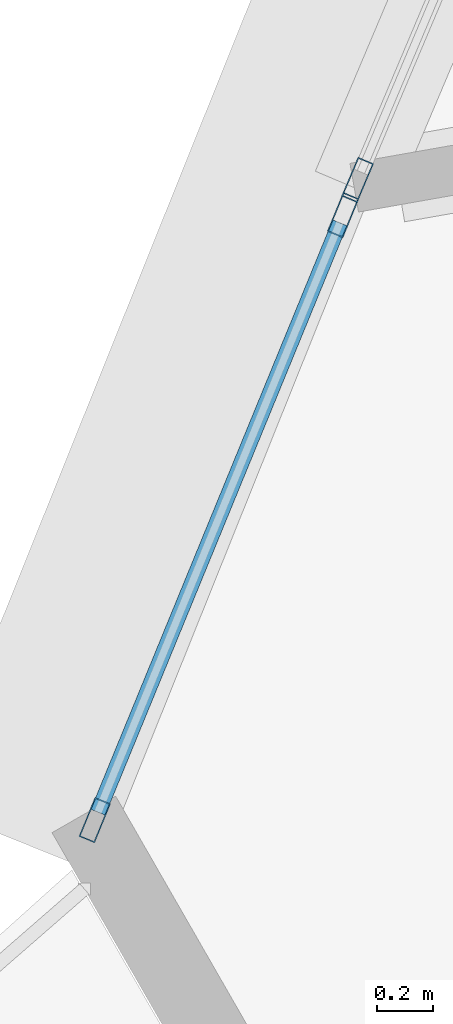
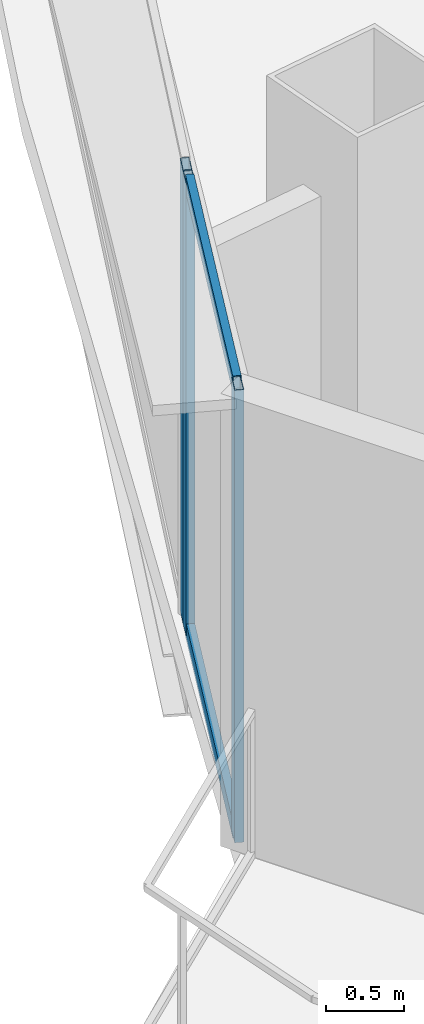
# One storey, part 4 of 36: 5 members, 2 elements without a shape of their own.
"""IFC4 building model written with IfcOpenShell, lengths in metres."""

import ifcopenshell
import ifcopenshell.guid

model = None  # the IFC model being written
_history = None  # IfcOwnerHistory: only IFC2X3 demands one
_inside = {}  # id of a spatial element -> (the spatial element, [elements in it])
_under = {}  # id of a project, library or spatial element -> (it, [spatial elements below it])
_declared = {}  # id of a project -> (the project, [libraries it declares])
_typed = {}  # id of a type object -> (the type object, [elements of that type])
_made_of = {}  # id of a material, layer set ... -> (it, [elements and type objects made of it])


def new_model(schema):
    """Start an empty IFC model of exactly this schema.

    Asked for "IFC4X3", IfcOpenShell would pick the latest addendum, in which some entities
    have other attributes; the version numbers below select the first issue.
    IFC2X3 requires an IfcOwnerHistory on every rooted entity: one is made here for all.
    """
    global model, _history
    if schema == "IFC4X3":
        model = ifcopenshell.file(schema_version=(4, 3, 0, 0))
    else:
        model = ifcopenshell.file(schema=schema)
    _inside.clear()
    _under.clear()
    _declared.clear()
    _typed.clear()
    _made_of.clear()
    _history = None
    if model.schema == "IFC2X3":
        org = make("IfcOrganization", Name="unknown")
        user = make(
            "IfcPersonAndOrganization",
            ThePerson=make("IfcPerson", FamilyName="unknown"),
            TheOrganization=org,
        )
        app = make(
            "IfcApplication",
            ApplicationDeveloper=org,
            Version="unknown",
            ApplicationFullName="unknown",
            ApplicationIdentifier="unknown",
        )
        _history = make(
            "IfcOwnerHistory",
            OwningUser=user,
            OwningApplication=app,
            ChangeAction="ADDED",
            CreationDate=0,
        )
    return model


def make(cls, **values):
    """One entity of the class cls with the attributes given. An attribute that is None is left unset."""
    return model.create_entity(
        cls, **{name: value for name, value in values.items() if value is not None}
    )


def rooted(cls, **values):
    """An entity with a GlobalId (a new one), such as an element, a storey or a relation."""
    return make(cls, GlobalId=ifcopenshell.guid.new(), OwnerHistory=_history, **values)


def si_unit(unit_type, name, prefix=None):
    """IfcSIUnit, for example si_unit("LENGTHUNIT", "METRE", prefix="MILLI")."""
    return make("IfcSIUnit", UnitType=unit_type, Prefix=prefix, Name=name)


def assignment(units):
    """IfcUnitAssignment: the units of a project."""
    return None if units is None else make("IfcUnitAssignment", Units=units)


def point(xyz):
    """IfcCartesianPoint."""
    return None if xyz is None else make("IfcCartesianPoint", Coordinates=xyz)


def direction(xyz):
    """IfcDirection."""
    return None if xyz is None else make("IfcDirection", DirectionRatios=xyz)


def frame(location, z_axis=None, x_axis=None):
    """IfcAxis2Placement3D, a coordinate frame: its origin and axes. An axis left out is left unset."""
    return make(
        "IfcAxis2Placement3D",
        Location=point(location),
        Axis=direction(z_axis),
        RefDirection=direction(x_axis),
    )


def frame_2d(location, x_axis=None):
    """IfcAxis2Placement2D, a coordinate frame in the plane: its origin and x axis."""
    return make(
        "IfcAxis2Placement2D", Location=point(location), RefDirection=direction(x_axis)
    )


def origin():
    """The frame at (0, 0, 0) with its axes left unset."""
    return frame((0.0, 0.0, 0.0))


def origin_2d():
    """The frame at (0, 0) in the plane with its x axis left unset."""
    return frame_2d((0.0, 0.0))


def place(relative_to, where):
    """IfcLocalPlacement: puts the frame where relative to a parent placement (None: the world)."""
    return make(
        "IfcLocalPlacement", PlacementRelTo=relative_to, RelativePlacement=where
    )


def context(
    kind, dimensions, precision=None, world=None, true_north=None, identifier=None
):
    """IfcGeometricRepresentationContext, for example the 3D "Model" context."""
    return make(
        "IfcGeometricRepresentationContext",
        ContextIdentifier=identifier,
        ContextType=kind,
        CoordinateSpaceDimension=dimensions,
        Precision=precision,
        WorldCoordinateSystem=world,
        TrueNorth=true_north,
    )


def subcontext(parent, identifier, kind, view, scale=None):
    """IfcGeometricRepresentationSubContext, for example "Body" below "Model"."""
    return make(
        "IfcGeometricRepresentationSubContext",
        ContextIdentifier=identifier,
        ContextType=kind,
        ParentContext=parent,
        TargetScale=scale,
        TargetView=view,
    )


def project(units=None, contexts=None):
    """IfcProject with its units and contexts."""
    return rooted(
        "IfcProject",
        Name="project",
        RepresentationContexts=contexts,
        UnitsInContext=assignment(units),
    )


def spatial(cls, under=None, at=None, **own):
    """A site, building, storey or space (cls), placed at a placement, below another one or the project."""
    s = rooted(cls, ObjectPlacement=at, **own)
    if under is not None:
        _under.setdefault(under.id(), (under, []))[1].append(s)
    return s


def profile(cls, at=None, kind="AREA", **sizes):
    """A parametric profile (cls). Its sizes go by their IFC names, for example OverallWidth=200.0."""
    return make(cls, ProfileType=kind, Position=at, **sizes)


def hollow_rectangle(**sizes):
    """IfcRectangleHollowProfileDef."""
    return profile("IfcRectangleHollowProfileDef", **sizes)


def extrude(swept, where, along, depth):
    """IfcExtrudedAreaSolid: the profile swept, set in the frame where, extruded along a direction by depth."""
    return make(
        "IfcExtrudedAreaSolid",
        SweptArea=swept,
        Position=where,
        ExtrudedDirection=direction(along),
        Depth=depth,
    )


def shape(context_of_items, identifier, shape_type, items):
    """IfcShapeRepresentation: the items that make up one representation, for example the "Body"."""
    return make(
        "IfcShapeRepresentation",
        ContextOfItems=context_of_items,
        RepresentationIdentifier=identifier,
        RepresentationType=shape_type,
        Items=items,
    )


def source(mapping_origin, context_of_items, identifier, shape_type, items):
    """IfcRepresentationMap: a shape defined once, which mapped items show again and again."""
    return make(
        "IfcRepresentationMap",
        MappingOrigin=mapping_origin,
        MappedRepresentation=shape(context_of_items, identifier, shape_type, items),
    )


def transform(
    local_origin,
    x_axis=None,
    y_axis=None,
    z_axis=None,
    scale=None,
    scale2=None,
    scale3=None,
    uniform=True,
):
    """IfcCartesianTransformationOperator3D, or its non-uniform kind. x_axis, y_axis, z_axis: its Axis1, 2, 3."""
    if uniform:
        return make(
            "IfcCartesianTransformationOperator3D",
            Axis1=direction(x_axis),
            Axis2=direction(y_axis),
            LocalOrigin=point(local_origin),
            Scale=scale,
            Axis3=direction(z_axis),
        )
    return make(
        "IfcCartesianTransformationOperator3DnonUniform",
        Axis1=direction(x_axis),
        Axis2=direction(y_axis),
        LocalOrigin=point(local_origin),
        Scale=scale,
        Axis3=direction(z_axis),
        Scale2=scale2,
        Scale3=scale3,
    )


def mapped(mapping_source, mapping_target):
    """IfcMappedItem: shows the shape of a source again, moved by a transform."""
    return make(
        "IfcMappedItem", MappingSource=mapping_source, MappingTarget=mapping_target
    )


def material(Name=None, Category=None):
    """IfcMaterial."""
    return make("IfcMaterial", Name=Name, Category=Category)


def layer(
    of_material, thickness, ventilated=None, Name=None, Category=None, Priority=None
):
    """IfcMaterialLayer: one layer of a wall or slab, of a material (None: an air gap)."""
    return make(
        "IfcMaterialLayer",
        Material=of_material,
        LayerThickness=thickness,
        IsVentilated=ventilated,
        Name=Name,
        Category=Category,
        Priority=Priority,
    )


def layer_set(layers, Name=None):
    """IfcMaterialLayerSet."""
    return make("IfcMaterialLayerSet", MaterialLayers=layers, LayerSetName=Name)


def material_profile(
    of_material, cross_section, Name=None, Category=None, Priority=None
):
    """IfcMaterialProfile: a cross section and its material."""
    return make(
        "IfcMaterialProfile",
        Name=Name,
        Material=of_material,
        Profile=cross_section,
        Priority=Priority,
        Category=Category,
    )


def profile_set(profiles, Name=None, composite=None):
    """IfcMaterialProfileSet."""
    return make(
        "IfcMaterialProfileSet",
        Name=Name,
        MaterialProfiles=profiles,
        CompositeProfile=composite,
    )


def made_of(thing, what):
    """Note that an element or type object is made of a material, layer set ...; save() writes the relation."""
    if what is not None:
        _made_of.setdefault(what.id(), (what, []))[1].append(thing)
    return thing


def type_object(cls, material=None, **own):
    """A type object (cls), such as IfcWallType, which elements share."""
    return made_of(rooted(cls, **own), material)


def element(
    cls,
    number,
    at=None,
    inside=None,
    cuts=None,
    type_object=None,
    material=None,
    context=None,
    identifier="Body",
    shape_type=None,
    held_by="IfcProductDefinitionShape",
    body=None,
    shapes=None,
    **own,
):
    """One element of the class cls, such as IfcWall. Its Tag is "e" and its number.

    at: its placement. inside: the storey or other place that contains it. cuts: it is an
    opening in that element (IfcRelVoidsElement). A single representation is given by context,
    identifier, shape_type and body (its items); several are given by shapes. held_by: the class
    of the entity that holds the representations. save() writes the other relations.
    """
    e = rooted(cls, Tag="e%d" % number, ObjectPlacement=at, **own)
    if body is not None:
        shapes = [shape(context, identifier, shape_type, body)]
    if shapes is not None:
        e.Representation = make(held_by, Representations=shapes)
    if inside is not None:
        _inside.setdefault(inside.id(), (inside, []))[1].append(e)
    if cuts is not None:
        rooted(
            "IfcRelVoidsElement", RelatingBuildingElement=cuts, RelatedOpeningElement=e
        )
    if type_object is not None:
        _typed.setdefault(type_object.id(), (type_object, []))[1].append(e)
    return made_of(e, material)


def aggregate(whole, parts):
    """IfcRelAggregates: a whole, such as a stair, and the parts it consists of."""
    return rooted("IfcRelAggregates", RelatingObject=whole, RelatedObjects=parts)


def save(model, path):
    """Write the relations noted so far, then the file.

    IfcRelAggregates (storeys below a building ...), IfcRelContainedInSpatialStructure (elements
    in a storey), IfcRelDefinesByType, IfcRelAssociatesMaterial and IfcRelDeclares: one each for
    every whole, place, type object, material and project.
    """
    for whole, parts in _under.values():
        aggregate(whole, parts)
    for where, things in _inside.values():
        rooted(
            "IfcRelContainedInSpatialStructure",
            RelatedElements=things,
            RelatingStructure=where,
        )
    for kind, things in _typed.values():
        rooted("IfcRelDefinesByType", RelatedObjects=things, RelatingType=kind)
    for what, things in _made_of.values():
        rooted("IfcRelAssociatesMaterial", RelatedObjects=things, RelatingMaterial=what)
    for by, libraries in _declared.values():
        rooted("IfcRelDeclares", RelatingContext=by, RelatedDefinitions=libraries)
    model.write(path)


model = new_model("IFC4")

# Units and contexts
model_context = context("Model", 3, precision=1e-05, world=origin(), true_north=direction((0.0, 1.0)))
body_context = subcontext(model_context, "Body", "Model", "MODEL_VIEW")
ifc_project = project(units=[si_unit("LENGTHUNIT", "METRE"), si_unit("AREAUNIT", "SQUARE_METRE"), si_unit("VOLUMEUNIT", "CUBIC_METRE"), si_unit("PLANEANGLEUNIT", "RADIAN"), si_unit("MASSUNIT", "GRAM", prefix="KILO"), si_unit("THERMODYNAMICTEMPERATUREUNIT", "KELVIN"), si_unit("POWERUNIT", "WATT")], contexts=[model_context])

# Site, building, storey
site_placement = place(None, origin())
site = spatial("IfcSite", under=ifc_project, at=site_placement, CompositionType="ELEMENT")
building_placement = place(site_placement, origin())
building = spatial("IfcBuilding", under=site, at=building_placement, Name="Yunzhuo Pagoda Commons", CompositionType="ELEMENT")
storey_placement = place(building_placement, frame((0.0, 0.0, 215.159912109375)))
storey = spatial("IfcBuildingStorey", under=building, at=storey_placement, Name="L54", CompositionType="ELEMENT", Elevation=215.159912109375)

# Curtain wall, members
ifc_material = material(Name="Anodized aluminium 6063-T6", Category="aluminium")
ifc_layer = layer(ifc_material, 0.14990234375)
ifc_layer_set = layer_set([ifc_layer], Name="Anodized aluminium 6063-T6")
curtain_wall_type = type_object("IfcCurtainWallType", Name="CW-MID Mid-Zone Ribbon Curtain Wall", PredefinedType="NOTDEFINED", material=ifc_layer_set)
curtain_wall_1_placement = place(storey_placement, origin())
curtain_wall_1 = element("IfcCurtainWall", 1, at=curtain_wall_1_placement, inside=storey, type_object=curtain_wall_type, Name="L54 curtain wall CW-L54-F3B5", PredefinedType="NOTDEFINED")
ifc_material_profile_1 = material_profile(ifc_material, hollow_rectangle(XDim=0.054931640625, YDim=0.1298828125, WallThickness=0.00341796875, at=origin_2d()), Name="Anodized aluminium 6063-T6")
ifc_profile_set_1 = profile_set([ifc_material_profile_1], Name="Anodized aluminium 6063-T6")
member_type_1 = type_object("IfcMemberType", Name="CW-MID-T Transom RHS 130x55x3.5", PredefinedType="USERDEFINED", material=ifc_profile_set_1)
shared_shape_1 = source(origin(), body_context, "Body", "SweptSolid", [
    extrude(hollow_rectangle(XDim=0.054931640625, YDim=0.1298828125, WallThickness=0.00341796875, at=origin_2d()), origin(), (0.0, 0.0, 1.0), 2.259521484375),
])
member_1_placement = place(storey_placement, frame((11.273681640625, 27.1083984375, 0.027587890625), z_axis=(-0.379776873257, -0.925078119155, 0.0), x_axis=(0.925078119155, -0.379776873257, 0.0)))
member_1 = element("IfcMember", 2, at=member_1_placement, type_object=member_type_1, Name="CW transom 1.1", ObjectType="TRANSOM", PredefinedType="USERDEFINED", context=body_context, shape_type="MappedRepresentation", body=[
    mapped(shared_shape_1, transform((0.0, 0.0, 0.0), scale=1.0)),
])
member_2_placement = place(storey_placement, frame((11.273681640625, 27.1083984375, 3.49267578125), z_axis=(-0.379776873257, -0.925078119155, 0.0), x_axis=(0.925078119155, -0.379776873257, 0.0)))
member_2 = element("IfcMember", 3, at=member_2_placement, type_object=member_type_1, Name="CW transom 1.2", ObjectType="TRANSOM", PredefinedType="USERDEFINED", context=body_context, shape_type="MappedRepresentation", body=[
    mapped(shared_shape_1, transform((0.0, 0.0, 0.0), scale=1.0)),
])

# Curtain wall, member
curtain_wall_2_placement = place(storey_placement, origin())
curtain_wall_2 = element("IfcCurtainWall", 4, at=curtain_wall_2_placement, inside=storey, type_object=curtain_wall_type, Name="L54 curtain wall CW-L54-F3B4", PredefinedType="NOTDEFINED")
ifc_material_profile_2 = material_profile(ifc_material, hollow_rectangle(XDim=0.06005859375, YDim=0.14990234375, WallThickness=0.00390625, at=origin_2d()), Name="Anodized aluminium 6063-T6")
ifc_profile_set_2 = profile_set([ifc_material_profile_2], Name="Anodized aluminium 6063-T6")
member_type_2 = type_object("IfcMemberType", Name="CW-MID-M Mullion RHS 150x60x4", PredefinedType="MULLION", material=ifc_profile_set_2)
shared_shape_2 = source(origin(), body_context, "Body", "SweptSolid", [
    extrude(hollow_rectangle(XDim=0.06005859375, YDim=0.14990234375, WallThickness=0.00390625, at=origin_2d()), origin(), (0.0, 0.0, 1.0), 3.52001953125),
])
member_3_placement = place(storey_placement, frame((11.33642578125, 27.2607421875, 0.0), z_axis=(0.0, 0.0, 1.0), x_axis=(0.920979205321, -0.389611734123, 0.0)))
member_3 = element("IfcMember", 5, at=member_3_placement, type_object=member_type_2, Name="CW mullion 2", PredefinedType="MULLION", context=body_context, shape_type="MappedRepresentation", body=[
    mapped(shared_shape_2, transform((0.0, 0.0, 0.0), scale=1.0)),
])
aggregate(curtain_wall_2, [member_3])

# Member
member_4_placement = place(storey_placement, frame((11.284912109375, 27.135986328125, 0.0), z_axis=(0.0, 0.0, 1.0), x_axis=(0.925117902297, -0.379679953183, 0.0)))
member_4 = element("IfcMember", 6, at=member_4_placement, type_object=member_type_2, Name="CW mullion 1", PredefinedType="MULLION", context=body_context, shape_type="MappedRepresentation", body=[
    mapped(shared_shape_2, transform((0.0, 0.0, 0.0), scale=1.0)),
])

member_5_placement = place(storey_placement, frame((10.404296875, 24.990234375, 0.0), z_axis=(0.0, 0.0, 1.0), x_axis=(0.925117902297, -0.379679953183, 0.0)))
member_5 = element("IfcMember", 7, at=member_5_placement, type_object=member_type_2, Name="CW mullion 2", PredefinedType="MULLION", context=body_context, shape_type="MappedRepresentation", body=[
    mapped(shared_shape_2, transform((0.0, 0.0, 0.0), scale=1.0)),
])

aggregate(curtain_wall_1, [member_4, member_5, member_1, member_2])

save(model, "model.ifc")
